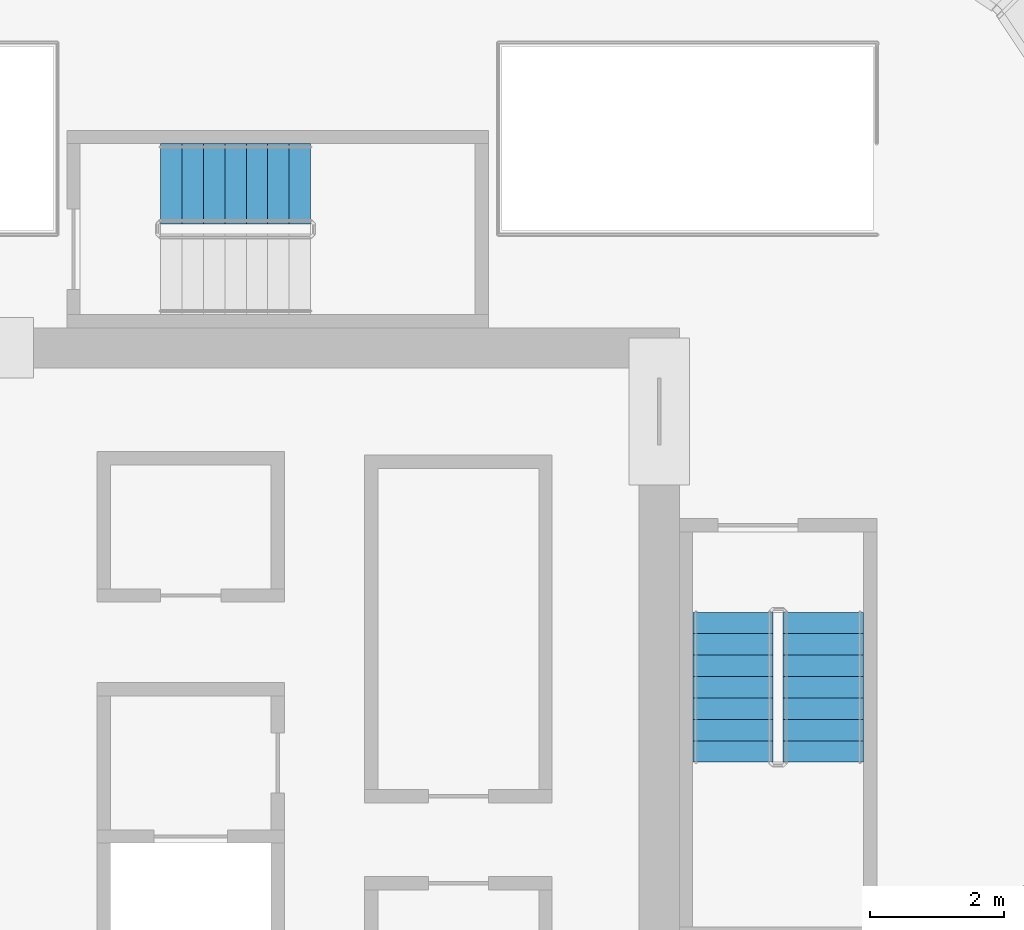
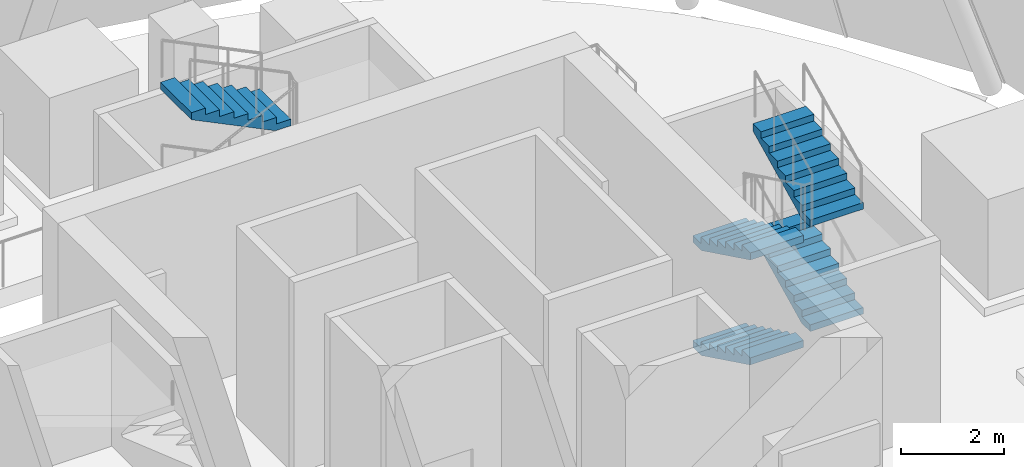
# One storey, part 5 of 8: 5 stair flights, 2 elements without a shape of their own.
"""IFC4 building model written with IfcOpenShell, lengths in metres."""

from ifc_helpers import new_model, si_unit, direction, frame, origin, place, context, subcontext, project, spatial, polyline, outline, extrude, material, type_object, element, aggregate, save


model = new_model("IFC4")

# Units and contexts
model_context = context("Model", 3, precision=1e-05, world=origin(), true_north=direction((0.0, 1.0)))
body_context = subcontext(model_context, "Body", "Model", "MODEL_VIEW")
ifc_project = project(units=[si_unit("LENGTHUNIT", "METRE"), si_unit("AREAUNIT", "SQUARE_METRE"), si_unit("VOLUMEUNIT", "CUBIC_METRE"), si_unit("PLANEANGLEUNIT", "RADIAN"), si_unit("MASSUNIT", "GRAM", prefix="KILO")], contexts=[model_context])

# Site, building, storey
site_placement = place(None, origin())
site = spatial("IfcSite", under=ifc_project, at=site_placement, CompositionType="ELEMENT")
building_placement = place(site_placement, origin())
building = spatial("IfcBuilding", under=site, at=building_placement, Name="Corvane Civic Tower", CompositionType="ELEMENT")
storey_placement = place(building_placement, frame((0.0, 0.0, 392.5)))
storey = spatial("IfcBuildingStorey", under=building, at=storey_placement, Name="L93", CompositionType="ELEMENT", Elevation=392.5)

# Stair, stair flights
ifc_material_1 = material(Name="Concrete C40/50", Category="concrete")
stair_type = type_object("IfcStairType", Name="ST-STAIR-HALFTURN", PredefinedType="HALF_TURN_STAIR", material=ifc_material_1)
stair_1_placement = place(storey_placement, origin())
stair_1 = element("IfcStair", 1, at=stair_1_placement, inside=storey, type_object=stair_type, Name="L93 Crown stair CS1", PredefinedType="HALF_TURN_STAIR")
ifc_material_2 = material(Name="Concrete C40/50", Category="concrete")
stair_flight_type = type_object("IfcStairFlightType", Name="ST-FLIGHT-RC", PredefinedType="STRAIGHT", material=ifc_material_2)
stair_flight_1_placement = place(storey_placement, frame((6.800048828125, 1.75, 0.0), z_axis=(0.0, 0.0, 1.0), x_axis=(0.0, -1.0, 0.0)))
stair_flight_1 = element("IfcStairFlight", 2, at=stair_flight_1_placement, type_object=stair_flight_type, Name="CS1 flight 1", NumberOfRisers=8, NumberOfTreads=7, PredefinedType="STRAIGHT", RiserHeight=0.15625, TreadLength=0.32, context=body_context, shape_type="SweptSolid", body=[
    extrude(outline(polyline([(0.0, 0.0), (0.0, 0.15625), (0.320068359375, 0.15625), (0.320068359375, 0.3125), (0.639892578125, 0.3125), (0.639892578125, 0.46875), (0.9599609375, 0.46875), (0.9599609375, 0.625), (1.280029296875, 0.625), (1.280029296875, 0.78125), (1.60009765625, 0.78125), (1.60009765625, 0.9375), (1.919921875, 0.9375), (1.919921875, 1.09375), (2.239990234375, 1.09375), (2.239990234375, 1.25), (2.239990234375, 0.927001953125), (0.341552734375, 0.0), (0.0, 0.0)])), frame((0.0, 0.60009765625, 0.0), z_axis=(0.0, -1.0, 0.0), x_axis=(1.0, 0.0, 0.0)), (0.0, 0.0, 1.0), 1.199951171875),
])
stair_flight_2_placement = place(storey_placement, frame((8.14990234375, -0.489990234375, 1.25), z_axis=(0.0, 0.0, 1.0), x_axis=(0.0, 1.0, 0.0)))
stair_flight_2 = element("IfcStairFlight", 3, at=stair_flight_2_placement, type_object=stair_flight_type, Name="CS1 flight 2", NumberOfRisers=8, NumberOfTreads=7, PredefinedType="STRAIGHT", RiserHeight=0.15625, TreadLength=0.32, context=body_context, shape_type="SweptSolid", body=[
    extrude(outline(polyline([(0.0, 0.0), (0.0, 0.15625), (0.320068359375, 0.15625), (0.320068359375, 0.3125), (0.639892578125, 0.3125), (0.639892578125, 0.46875), (0.9599609375, 0.46875), (0.9599609375, 0.625), (1.280029296875, 0.625), (1.280029296875, 0.78125), (1.60009765625, 0.78125), (1.60009765625, 0.9375), (1.919921875, 0.9375), (1.919921875, 1.09375), (2.239990234375, 1.09375), (2.239990234375, 1.25), (2.239990234375, 0.927001953125), (0.341552734375, 0.0), (0.0, 0.0)])), frame((0.0, 0.60009765625, 0.0), z_axis=(0.0, -1.0, 0.0), x_axis=(1.0, 0.0, 0.0)), (0.0, 0.0, 1.0), 1.199951171875),
])
stair_flight_3_placement = place(storey_placement, frame((6.800048828125, 1.75, 2.5), z_axis=(0.0, 0.0, 1.0), x_axis=(0.0, -1.0, 0.0)))
stair_flight_3 = element("IfcStairFlight", 4, at=stair_flight_3_placement, type_object=stair_flight_type, Name="CS1 flight 3", NumberOfRisers=8, NumberOfTreads=7, PredefinedType="STRAIGHT", RiserHeight=0.15625, TreadLength=0.32, context=body_context, shape_type="SweptSolid", body=[
    extrude(outline(polyline([(0.0, 0.0), (0.0, 0.15625), (0.320068359375, 0.15625), (0.320068359375, 0.3125), (0.639892578125, 0.3125), (0.639892578125, 0.46875), (0.9599609375, 0.46875), (0.9599609375, 0.625), (1.280029296875, 0.625), (1.280029296875, 0.78125), (1.60009765625, 0.78125), (1.60009765625, 0.9375), (1.919921875, 0.9375), (1.919921875, 1.09375), (2.239990234375, 1.09375), (2.239990234375, 1.25), (2.239990234375, 0.927001953125), (0.341552734375, 0.0), (0.0, 0.0)])), frame((0.0, 0.60009765625, 0.0), z_axis=(0.0, -1.0, 0.0), x_axis=(1.0, 0.0, 0.0)), (0.0, 0.0, 1.0), 1.199951171875),
])
stair_flight_4_placement = place(storey_placement, frame((8.14990234375, -0.489990234375, 3.75), z_axis=(0.0, 0.0, 1.0), x_axis=(0.0, 1.0, 0.0)))
stair_flight_4 = element("IfcStairFlight", 5, at=stair_flight_4_placement, type_object=stair_flight_type, Name="CS1 flight 4", NumberOfRisers=8, NumberOfTreads=7, PredefinedType="STRAIGHT", RiserHeight=0.15625, TreadLength=0.32, context=body_context, shape_type="SweptSolid", body=[
    extrude(outline(polyline([(0.0, 0.0), (0.0, 0.15625), (0.320068359375, 0.15625), (0.320068359375, 0.3125), (0.639892578125, 0.3125), (0.639892578125, 0.46875), (0.9599609375, 0.46875), (0.9599609375, 0.625), (1.280029296875, 0.625), (1.280029296875, 0.78125), (1.60009765625, 0.78125), (1.60009765625, 0.9375), (1.919921875, 0.9375), (1.919921875, 1.09375), (2.239990234375, 1.09375), (2.239990234375, 1.25), (2.239990234375, 0.927001953125), (0.341552734375, 0.0), (0.0, 0.0)])), frame((0.0, 0.60009765625, 0.0), z_axis=(0.0, -1.0, 0.0), x_axis=(1.0, 0.0, 0.0)), (0.0, 0.0, 1.0), 1.199951171875),
])
aggregate(stair_1, [stair_flight_1, stair_flight_2, stair_flight_3, stair_flight_4])

# Stair, stair flight
stair_2_placement = place(storey_placement, origin())
stair_2 = element("IfcStair", 6, at=stair_2_placement, inside=storey, type_object=stair_type, Name="L93 Crown stair CS2", PredefinedType="HALF_TURN_STAIR")
stair_flight_5_placement = place(storey_placement, frame((0.489990234375, 8.14990234375, 3.75), z_axis=(0.0, 0.0, 1.0), x_axis=(-1.0, 0.0, 0.0)))
stair_flight_5 = element("IfcStairFlight", 7, at=stair_flight_5_placement, type_object=stair_flight_type, Name="CS2 flight 4", NumberOfRisers=8, NumberOfTreads=7, PredefinedType="STRAIGHT", RiserHeight=0.15625, TreadLength=0.32, context=body_context, shape_type="SweptSolid", body=[
    extrude(outline(polyline([(0.0, 0.0), (0.0, 0.15625), (0.320068359375, 0.15625), (0.320068359375, 0.3125), (0.639892578125, 0.3125), (0.639892578125, 0.46875), (0.9599609375, 0.46875), (0.9599609375, 0.625), (1.280029296875, 0.625), (1.280029296875, 0.78125), (1.60009765625, 0.78125), (1.60009765625, 0.9375), (1.919921875, 0.9375), (1.919921875, 1.09375), (2.239990234375, 1.09375), (2.239990234375, 1.25), (2.239990234375, 0.927001953125), (0.341552734375, 0.0), (0.0, 0.0)])), frame((0.0, 0.60009765625, 0.0), z_axis=(0.0, -1.0, 0.0), x_axis=(1.0, 0.0, 0.0)), (0.0, 0.0, 1.0), 1.199951171875),
])
aggregate(stair_2, [stair_flight_5])

save(model, "model.ifc")
